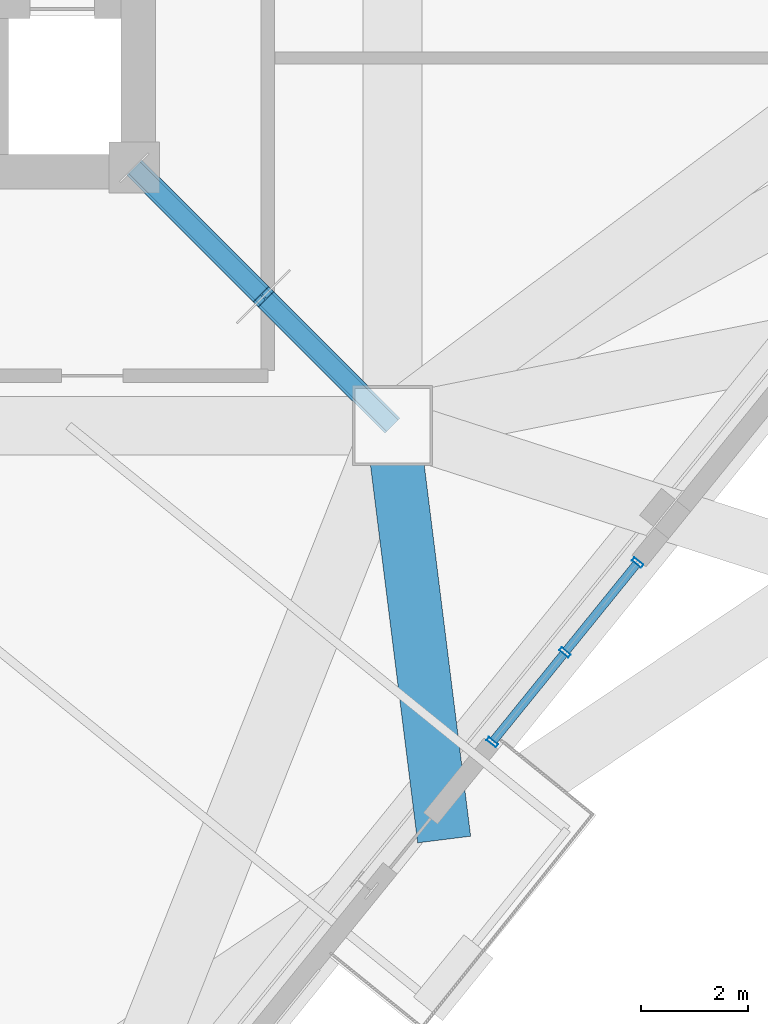
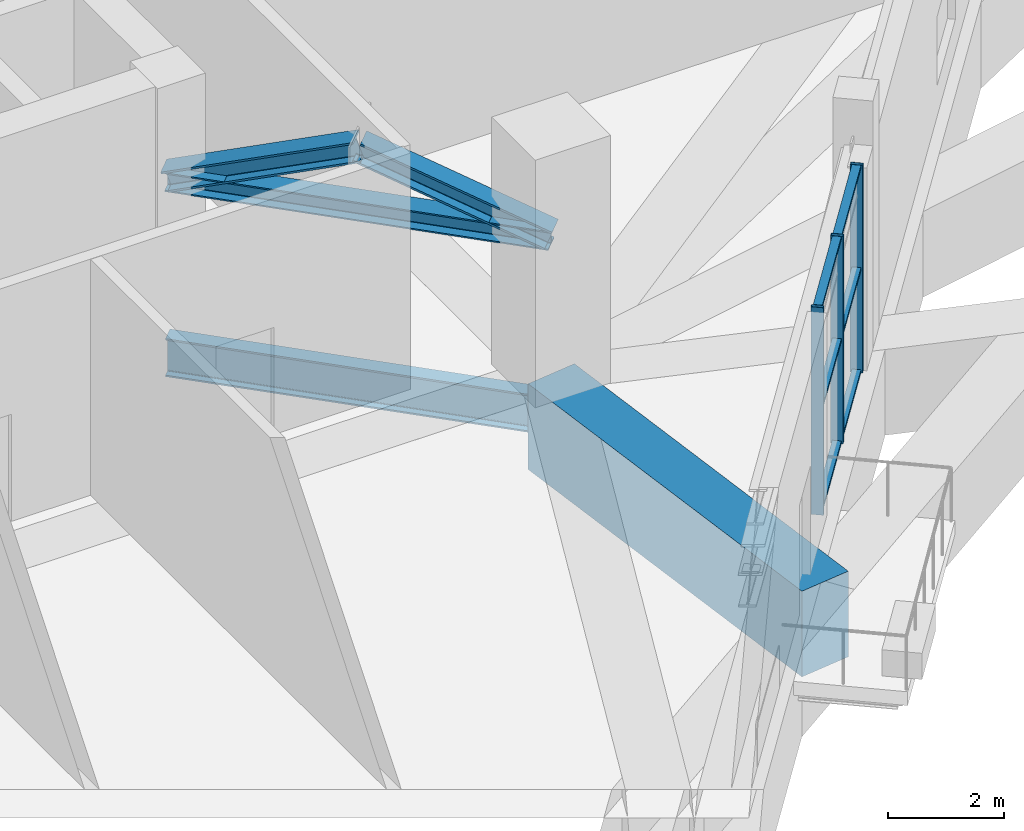
# One storey, part 4 of 22: 12 members, 2 beams, 1 element without a shape of its own.
"""IFC4 building model written with IfcOpenShell, lengths in metres."""

import ifcopenshell
import ifcopenshell.guid

model = None  # the IFC model being written
_history = None  # IfcOwnerHistory: only IFC2X3 demands one
_inside = {}  # id of a spatial element -> (the spatial element, [elements in it])
_under = {}  # id of a project, library or spatial element -> (it, [spatial elements below it])
_declared = {}  # id of a project -> (the project, [libraries it declares])
_typed = {}  # id of a type object -> (the type object, [elements of that type])
_made_of = {}  # id of a material, layer set ... -> (it, [elements and type objects made of it])


def new_model(schema):
    """Start an empty IFC model of exactly this schema.

    Asked for "IFC4X3", IfcOpenShell would pick the latest addendum, in which some entities
    have other attributes; the version numbers below select the first issue.
    IFC2X3 requires an IfcOwnerHistory on every rooted entity: one is made here for all.
    """
    global model, _history
    if schema == "IFC4X3":
        model = ifcopenshell.file(schema_version=(4, 3, 0, 0))
    else:
        model = ifcopenshell.file(schema=schema)
    _inside.clear()
    _under.clear()
    _declared.clear()
    _typed.clear()
    _made_of.clear()
    _history = None
    if model.schema == "IFC2X3":
        org = make("IfcOrganization", Name="unknown")
        user = make(
            "IfcPersonAndOrganization",
            ThePerson=make("IfcPerson", FamilyName="unknown"),
            TheOrganization=org,
        )
        app = make(
            "IfcApplication",
            ApplicationDeveloper=org,
            Version="unknown",
            ApplicationFullName="unknown",
            ApplicationIdentifier="unknown",
        )
        _history = make(
            "IfcOwnerHistory",
            OwningUser=user,
            OwningApplication=app,
            ChangeAction="ADDED",
            CreationDate=0,
        )
    return model


def make(cls, **values):
    """One entity of the class cls with the attributes given. An attribute that is None is left unset."""
    return model.create_entity(
        cls, **{name: value for name, value in values.items() if value is not None}
    )


def rooted(cls, **values):
    """An entity with a GlobalId (a new one), such as an element, a storey or a relation."""
    return make(cls, GlobalId=ifcopenshell.guid.new(), OwnerHistory=_history, **values)


def si_unit(unit_type, name, prefix=None):
    """IfcSIUnit, for example si_unit("LENGTHUNIT", "METRE", prefix="MILLI")."""
    return make("IfcSIUnit", UnitType=unit_type, Prefix=prefix, Name=name)


def assignment(units):
    """IfcUnitAssignment: the units of a project."""
    return None if units is None else make("IfcUnitAssignment", Units=units)


def point(xyz):
    """IfcCartesianPoint."""
    return None if xyz is None else make("IfcCartesianPoint", Coordinates=xyz)


def direction(xyz):
    """IfcDirection."""
    return None if xyz is None else make("IfcDirection", DirectionRatios=xyz)


def frame(location, z_axis=None, x_axis=None):
    """IfcAxis2Placement3D, a coordinate frame: its origin and axes. An axis left out is left unset."""
    return make(
        "IfcAxis2Placement3D",
        Location=point(location),
        Axis=direction(z_axis),
        RefDirection=direction(x_axis),
    )


def frame_2d(location, x_axis=None):
    """IfcAxis2Placement2D, a coordinate frame in the plane: its origin and x axis."""
    return make(
        "IfcAxis2Placement2D", Location=point(location), RefDirection=direction(x_axis)
    )


def origin():
    """The frame at (0, 0, 0) with its axes left unset."""
    return frame((0.0, 0.0, 0.0))


def origin_2d():
    """The frame at (0, 0) in the plane with its x axis left unset."""
    return frame_2d((0.0, 0.0))


def place(relative_to, where):
    """IfcLocalPlacement: puts the frame where relative to a parent placement (None: the world)."""
    return make(
        "IfcLocalPlacement", PlacementRelTo=relative_to, RelativePlacement=where
    )


def context(
    kind, dimensions, precision=None, world=None, true_north=None, identifier=None
):
    """IfcGeometricRepresentationContext, for example the 3D "Model" context."""
    return make(
        "IfcGeometricRepresentationContext",
        ContextIdentifier=identifier,
        ContextType=kind,
        CoordinateSpaceDimension=dimensions,
        Precision=precision,
        WorldCoordinateSystem=world,
        TrueNorth=true_north,
    )


def subcontext(parent, identifier, kind, view, scale=None):
    """IfcGeometricRepresentationSubContext, for example "Body" below "Model"."""
    return make(
        "IfcGeometricRepresentationSubContext",
        ContextIdentifier=identifier,
        ContextType=kind,
        ParentContext=parent,
        TargetScale=scale,
        TargetView=view,
    )


def project(units=None, contexts=None):
    """IfcProject with its units and contexts."""
    return rooted(
        "IfcProject",
        Name="project",
        RepresentationContexts=contexts,
        UnitsInContext=assignment(units),
    )


def spatial(cls, under=None, at=None, **own):
    """A site, building, storey or space (cls), placed at a placement, below another one or the project."""
    s = rooted(cls, ObjectPlacement=at, **own)
    if under is not None:
        _under.setdefault(under.id(), (under, []))[1].append(s)
    return s


def profile(cls, at=None, kind="AREA", **sizes):
    """A parametric profile (cls). Its sizes go by their IFC names, for example OverallWidth=200.0."""
    return make(cls, ProfileType=kind, Position=at, **sizes)


def rectangle(**sizes):
    """IfcRectangleProfileDef."""
    return profile("IfcRectangleProfileDef", **sizes)


def hollow_rectangle(**sizes):
    """IfcRectangleHollowProfileDef."""
    return profile("IfcRectangleHollowProfileDef", **sizes)


def i_section(**sizes):
    """IfcIShapeProfileDef."""
    return profile("IfcIShapeProfileDef", **sizes)


def extrude(swept, where, along, depth):
    """IfcExtrudedAreaSolid: the profile swept, set in the frame where, extruded along a direction by depth."""
    return make(
        "IfcExtrudedAreaSolid",
        SweptArea=swept,
        Position=where,
        ExtrudedDirection=direction(along),
        Depth=depth,
    )


def shape(context_of_items, identifier, shape_type, items):
    """IfcShapeRepresentation: the items that make up one representation, for example the "Body"."""
    return make(
        "IfcShapeRepresentation",
        ContextOfItems=context_of_items,
        RepresentationIdentifier=identifier,
        RepresentationType=shape_type,
        Items=items,
    )


def source(mapping_origin, context_of_items, identifier, shape_type, items):
    """IfcRepresentationMap: a shape defined once, which mapped items show again and again."""
    return make(
        "IfcRepresentationMap",
        MappingOrigin=mapping_origin,
        MappedRepresentation=shape(context_of_items, identifier, shape_type, items),
    )


def transform(
    local_origin,
    x_axis=None,
    y_axis=None,
    z_axis=None,
    scale=None,
    scale2=None,
    scale3=None,
    uniform=True,
):
    """IfcCartesianTransformationOperator3D, or its non-uniform kind. x_axis, y_axis, z_axis: its Axis1, 2, 3."""
    if uniform:
        return make(
            "IfcCartesianTransformationOperator3D",
            Axis1=direction(x_axis),
            Axis2=direction(y_axis),
            LocalOrigin=point(local_origin),
            Scale=scale,
            Axis3=direction(z_axis),
        )
    return make(
        "IfcCartesianTransformationOperator3DnonUniform",
        Axis1=direction(x_axis),
        Axis2=direction(y_axis),
        LocalOrigin=point(local_origin),
        Scale=scale,
        Axis3=direction(z_axis),
        Scale2=scale2,
        Scale3=scale3,
    )


def mapped(mapping_source, mapping_target):
    """IfcMappedItem: shows the shape of a source again, moved by a transform."""
    return make(
        "IfcMappedItem", MappingSource=mapping_source, MappingTarget=mapping_target
    )


def material(Name=None, Category=None):
    """IfcMaterial."""
    return make("IfcMaterial", Name=Name, Category=Category)


def layer(
    of_material, thickness, ventilated=None, Name=None, Category=None, Priority=None
):
    """IfcMaterialLayer: one layer of a wall or slab, of a material (None: an air gap)."""
    return make(
        "IfcMaterialLayer",
        Material=of_material,
        LayerThickness=thickness,
        IsVentilated=ventilated,
        Name=Name,
        Category=Category,
        Priority=Priority,
    )


def layer_set(layers, Name=None):
    """IfcMaterialLayerSet."""
    return make("IfcMaterialLayerSet", MaterialLayers=layers, LayerSetName=Name)


def material_profile(
    of_material, cross_section, Name=None, Category=None, Priority=None
):
    """IfcMaterialProfile: a cross section and its material."""
    return make(
        "IfcMaterialProfile",
        Name=Name,
        Material=of_material,
        Profile=cross_section,
        Priority=Priority,
        Category=Category,
    )


def profile_set(profiles, Name=None, composite=None):
    """IfcMaterialProfileSet."""
    return make(
        "IfcMaterialProfileSet",
        Name=Name,
        MaterialProfiles=profiles,
        CompositeProfile=composite,
    )


def made_of(thing, what):
    """Note that an element or type object is made of a material, layer set ...; save() writes the relation."""
    if what is not None:
        _made_of.setdefault(what.id(), (what, []))[1].append(thing)
    return thing


def type_object(cls, material=None, **own):
    """A type object (cls), such as IfcWallType, which elements share."""
    return made_of(rooted(cls, **own), material)


def element(
    cls,
    number,
    at=None,
    inside=None,
    cuts=None,
    type_object=None,
    material=None,
    context=None,
    identifier="Body",
    shape_type=None,
    held_by="IfcProductDefinitionShape",
    body=None,
    shapes=None,
    **own,
):
    """One element of the class cls, such as IfcWall. Its Tag is "e" and its number.

    at: its placement. inside: the storey or other place that contains it. cuts: it is an
    opening in that element (IfcRelVoidsElement). A single representation is given by context,
    identifier, shape_type and body (its items); several are given by shapes. held_by: the class
    of the entity that holds the representations. save() writes the other relations.
    """
    e = rooted(cls, Tag="e%d" % number, ObjectPlacement=at, **own)
    if body is not None:
        shapes = [shape(context, identifier, shape_type, body)]
    if shapes is not None:
        e.Representation = make(held_by, Representations=shapes)
    if inside is not None:
        _inside.setdefault(inside.id(), (inside, []))[1].append(e)
    if cuts is not None:
        rooted(
            "IfcRelVoidsElement", RelatingBuildingElement=cuts, RelatedOpeningElement=e
        )
    if type_object is not None:
        _typed.setdefault(type_object.id(), (type_object, []))[1].append(e)
    return made_of(e, material)


def aggregate(whole, parts):
    """IfcRelAggregates: a whole, such as a stair, and the parts it consists of."""
    return rooted("IfcRelAggregates", RelatingObject=whole, RelatedObjects=parts)


def save(model, path):
    """Write the relations noted so far, then the file.

    IfcRelAggregates (storeys below a building ...), IfcRelContainedInSpatialStructure (elements
    in a storey), IfcRelDefinesByType, IfcRelAssociatesMaterial and IfcRelDeclares: one each for
    every whole, place, type object, material and project.
    """
    for whole, parts in _under.values():
        aggregate(whole, parts)
    for where, things in _inside.values():
        rooted(
            "IfcRelContainedInSpatialStructure",
            RelatedElements=things,
            RelatingStructure=where,
        )
    for kind, things in _typed.values():
        rooted("IfcRelDefinesByType", RelatedObjects=things, RelatingType=kind)
    for what, things in _made_of.values():
        rooted("IfcRelAssociatesMaterial", RelatedObjects=things, RelatingMaterial=what)
    for by, libraries in _declared.values():
        rooted("IfcRelDeclares", RelatingContext=by, RelatedDefinitions=libraries)
    model.write(path)


model = new_model("IFC4")

# Units and contexts
model_context = context("Model", 3, precision=1e-05, world=origin(), true_north=direction((0.0, 1.0)))
body_context = subcontext(model_context, "Body", "Model", "MODEL_VIEW")
ifc_project = project(units=[si_unit("LENGTHUNIT", "METRE"), si_unit("AREAUNIT", "SQUARE_METRE"), si_unit("VOLUMEUNIT", "CUBIC_METRE"), si_unit("PLANEANGLEUNIT", "RADIAN"), si_unit("MASSUNIT", "GRAM", prefix="KILO"), si_unit("THERMODYNAMICTEMPERATUREUNIT", "KELVIN")], contexts=[model_context])

# Site, building, storey
site_placement = place(None, origin())
site = spatial("IfcSite", under=ifc_project, at=site_placement, CompositionType="ELEMENT")
building_placement = place(site_placement, origin())
building = spatial("IfcBuilding", under=site, at=building_placement, Name="Kosmvard Interchange Tower", CompositionType="ELEMENT")
storey_placement = place(building_placement, frame((0.0, 0.0, 200.39990234375)))
storey = spatial("IfcBuildingStorey", under=building, at=storey_placement, Name="L48", CompositionType="ELEMENT", Elevation=200.39990234375)

# Member
ifc_material_1 = material(Name="Steel S460", Category="steel")
ifc_material_profile_1 = material_profile(ifc_material_1, i_section(OverallWidth=0.40087890625, OverallDepth=0.39892578125, WebThickness=0.0185546875, FlangeThickness=0.028076171875, FilletRadius=0.014892578125, at=origin_2d()), Name="HD 400x314")
ifc_profile_set_1 = profile_set([ifc_material_profile_1], Name="Steel S460")
member_type_1 = type_object("IfcMemberType", Name="Outrigger Top and Bottom Chord HD 400x314 S460", PredefinedType="CHORD", material=ifc_profile_set_1)
shared_shape_1 = source(origin(), body_context, "Body", "SweptSolid", [
    extrude(i_section(OverallWidth=0.40087890625, OverallDepth=0.39892578125, WebThickness=0.0185546875, FlangeThickness=0.028076171875, FilletRadius=0.014892578125, at=origin_2d()), origin(), (0.0, 0.0, 1.0), 6.83203125),
])
member_1_placement = place(storey_placement, frame((8.25, -8.25, 2.920166015625), z_axis=(0.707106781187, -0.707106781187, 0.0), x_axis=(0.707106781187, 0.707106781187, 0.0)))
element("IfcMember", 1, at=member_1_placement, inside=storey, type_object=member_type_1, Name="L48 Outrigger Bottom Chord 2", PredefinedType="CHORD", context=body_context, shape_type="MappedRepresentation", body=[
    mapped(shared_shape_1, transform((0.0, 0.0, 0.0), scale=1.0)),
])

# Beams
ifc_material_2 = material(Name="Steel S355", Category="steel")
ifc_material_profile_2 = material_profile(ifc_material_2, i_section(OverallWidth=0.300048828125, OverallDepth=0.800048828125, WebThickness=0.017578125, FlangeThickness=0.032958984375, FilletRadius=0.027099609375, at=origin_2d()), Name="HEB 800")
ifc_profile_set_2 = profile_set([ifc_material_profile_2], Name="Steel S355")
beam_type_1 = type_object("IfcBeamType", Name="Primary Mega-Frame Girder HEB 800 S355", PredefinedType="BEAM", material=ifc_profile_set_2)
shared_shape_2 = source(origin(), body_context, "Body", "SweptSolid", [
    extrude(i_section(OverallWidth=0.300048828125, OverallDepth=0.800048828125, WebThickness=0.017578125, FlangeThickness=0.032958984375, FilletRadius=0.027099609375, at=origin_2d()), origin(), (0.0, 0.0, 1.0), 6.83203125),
])
beam_1_placement = place(storey_placement, frame((8.25, -8.25, -0.7998046875), z_axis=(0.707106781187, -0.707106781187, 0.0), x_axis=(0.707106781187, 0.707106781187, 0.0)))
element("IfcBeam", 2, at=beam_1_placement, inside=storey, type_object=beam_type_1, Name="L48 Radial Mega-Frame Girder 2", PredefinedType="BEAM", context=body_context, shape_type="MappedRepresentation", body=[
    mapped(shared_shape_2, transform((0.0, 0.0, 0.0), scale=1.0)),
])
ifc_material_3 = material(Name="Concrete C60/75", Category="concrete")
ifc_material_profile_3 = material_profile(ifc_material_3, rectangle(XDim=1.0, YDim=1.800048828125, at=origin_2d()), Name="TG 1000x1800")
ifc_profile_set_3 = profile_set([ifc_material_profile_3], Name="Concrete C60/75")
beam_type_2 = type_object("IfcBeamType", Name="Zone Transfer Ring Girder 1000x1800 C60/75", PredefinedType="USERDEFINED", material=ifc_profile_set_3)
shared_shape_3 = source(origin(), body_context, "Body", "SweptSolid", [
    extrude(rectangle(XDim=1.0, YDim=1.800048828125, at=origin_2d()), origin(), (0.0, 0.0, 1.0), 7.808837890625),
])
beam_2_placement = place(storey_placement, frame((13.0810546875, -13.0810546875, -0.89990234375), z_axis=(0.12405782224, -0.992274990485, 0.0), x_axis=(0.992274990485, 0.12405782224, 0.0)))
element("IfcBeam", 3, at=beam_2_placement, inside=storey, type_object=beam_type_2, Name="BM-L48-LD02", ObjectType="TRANSFER_GIRDER", PredefinedType="USERDEFINED", context=body_context, shape_type="MappedRepresentation", body=[
    mapped(shared_shape_3, transform((0.0, 0.0, 0.0), scale=1.0)),
])

# Members
ifc_material_profile_4 = material_profile(ifc_material_1, i_section(OverallWidth=0.408935546875, OverallDepth=0.425048828125, WebThickness=0.02392578125, FlangeThickness=0.0390625, FilletRadius=0.014892578125, at=origin_2d()), Name="HD 400x421")
ifc_profile_set_4 = profile_set([ifc_material_profile_4], Name="Steel S460")
member_type_2 = type_object("IfcMemberType", Name="Radial Outrigger Diagonal HD 400x421 S460", PredefinedType="BRACE", material=ifc_profile_set_4)
shared_shape_4 = source(origin(), body_context, "Body", "SweptSolid", [
    extrude(i_section(OverallWidth=0.408935546875, OverallDepth=0.425048828125, WebThickness=0.02392578125, FlangeThickness=0.0390625, FilletRadius=0.014892578125, at=origin_2d()), origin(), (0.0, 0.0, 1.0), 3.63427734375),
])
for number, where, z_axis, x_axis, name in (
    (4, (8.25, -8.25, 2.920166015625), (0.664672771684, -0.664672771684, 0.341204063815), (0.707106781187, 0.707106781187, 0.0), "L48 Outrigger Diagonal 2A"),
    (5, (10.66552734375, -10.66552734375, 4.16015625), (0.664672771684, -0.664672771684, -0.341204063815), (0.707106781187, 0.707106781187, 0.0), "L48 Outrigger Diagonal 2B"),
):
    element("IfcMember", number, at=place(storey_placement, frame(where, z_axis=z_axis, x_axis=x_axis)), inside=storey, type_object=member_type_2, Name=name, PredefinedType="BRACE", context=body_context, shape_type="MappedRepresentation", body=[
        mapped(shared_shape_4, transform((0.0, 0.0, 0.0), scale=1.0)),
    ])

# Curtain wall, members
ifc_material_4 = material(Name="Architectural anodised aluminium", Category="aluminium")
ifc_layer = layer(ifc_material_4, 0.2099609375, Name="Architectural anodised aluminium")
ifc_layer_set = layer_set([ifc_layer], Name="Architectural anodised aluminium")
curtain_wall_type = type_object("IfcCurtainWallType", Name="CW-4 Refuge Transfer Glazed Louvre Wall", PredefinedType="NOTDEFINED", material=ifc_layer_set)
curtain_wall_placement = place(storey_placement, origin())
curtain_wall = element("IfcCurtainWall", 6, at=curtain_wall_placement, inside=storey, type_object=curtain_wall_type, Name="L48 Transfer Louvre Curtain Wall S", PredefinedType="NOTDEFINED")
ifc_material_profile_5 = material_profile(ifc_material_4, hollow_rectangle(XDim=0.159912109375, YDim=0.06494140625, WallThickness=0.00390625, at=origin_2d()), Name="CWT 160x65x4")
ifc_profile_set_5 = profile_set([ifc_material_profile_5], Name="Architectural anodised aluminium")
member_type_3 = type_object("IfcMemberType", Name="Standard CW Transom 160x65 Aluminium", PredefinedType="USERDEFINED", material=ifc_profile_set_5)
shared_shape_5 = source(origin(), body_context, "Body", "SweptSolid", [
    extrude(hollow_rectangle(XDim=0.159912109375, YDim=0.06494140625, WallThickness=0.00390625, at=origin_2d()), origin(), (0.0, 0.0, 1.0), 2.087646484375),
])
member_2_placement = place(storey_placement, frame((14.973876953125, -18.977783203125, 0.03271484375), z_axis=(0.629319338563, 0.777146813743, 0.0), x_axis=(-0.777146813743, 0.629319338563, 0.0)))
member_2 = element("IfcMember", 7, at=member_2_placement, type_object=member_type_3, Name="CW-4 transom 1.1", ObjectType="TRANSOM", PredefinedType="USERDEFINED", context=body_context, shape_type="MappedRepresentation", body=[
    mapped(shared_shape_5, transform((0.0, 0.0, 0.0), scale=1.0)),
])
member_3_placement = place(storey_placement, frame((14.973876953125, -18.977783203125, 2.18017578125), z_axis=(0.629319338563, 0.777146813743, 0.0), x_axis=(-0.777146813743, 0.629319338563, 0.0)))
member_3 = element("IfcMember", 8, at=member_3_placement, type_object=member_type_3, Name="CW-4 transom 1.2", ObjectType="TRANSOM", PredefinedType="USERDEFINED", context=body_context, shape_type="MappedRepresentation", body=[
    mapped(shared_shape_5, transform((0.0, 0.0, 0.0), scale=1.0)),
])
member_4_placement = place(storey_placement, frame((14.973876953125, -18.977783203125, 4.32763671875), z_axis=(0.629319338563, 0.777146813743, 0.0), x_axis=(-0.777146813743, 0.629319338563, 0.0)))
member_4 = element("IfcMember", 9, at=member_4_placement, type_object=member_type_3, Name="CW-4 transom 1.3", ObjectType="TRANSOM", PredefinedType="USERDEFINED", context=body_context, shape_type="MappedRepresentation", body=[
    mapped(shared_shape_5, transform((0.0, 0.0, 0.0), scale=1.0)),
])
member_5_placement = place(storey_placement, frame((16.3349609375, -17.297119140625, 0.03271484375), z_axis=(0.629319338563, 0.777146813743, 0.0), x_axis=(-0.777146813743, 0.629319338563, 0.0)))
member_5 = element("IfcMember", 10, at=member_5_placement, type_object=member_type_3, Name="CW-4 transom 2.1", ObjectType="TRANSOM", PredefinedType="USERDEFINED", context=body_context, shape_type="MappedRepresentation", body=[
    mapped(shared_shape_5, transform((0.0, 0.0, 0.0), scale=1.0)),
])
member_6_placement = place(storey_placement, frame((16.3349609375, -17.297119140625, 2.18017578125), z_axis=(0.629319338563, 0.777146813743, 0.0), x_axis=(-0.777146813743, 0.629319338563, 0.0)))
member_6 = element("IfcMember", 11, at=member_6_placement, type_object=member_type_3, Name="CW-4 transom 2.2", ObjectType="TRANSOM", PredefinedType="USERDEFINED", context=body_context, shape_type="MappedRepresentation", body=[
    mapped(shared_shape_5, transform((0.0, 0.0, 0.0), scale=1.0)),
])
member_7_placement = place(storey_placement, frame((16.3349609375, -17.297119140625, 4.32763671875), z_axis=(0.629319338563, 0.777146813743, 0.0), x_axis=(-0.777146813743, 0.629319338563, 0.0)))
member_7 = element("IfcMember", 12, at=member_7_placement, type_object=member_type_3, Name="CW-4 transom 2.3", ObjectType="TRANSOM", PredefinedType="USERDEFINED", context=body_context, shape_type="MappedRepresentation", body=[
    mapped(shared_shape_5, transform((0.0, 0.0, 0.0), scale=1.0)),
])
ifc_material_profile_6 = material_profile(ifc_material_4, hollow_rectangle(XDim=0.219970703125, YDim=0.074951171875, WallThickness=0.0048828125, at=origin_2d()), Name="CWM 220x75x5")
ifc_profile_set_6 = profile_set([ifc_material_profile_6], Name="Architectural anodised aluminium")
member_type_4 = type_object("IfcMemberType", Name="Concourse CW Mullion 220x75 Aluminium", PredefinedType="MULLION", material=ifc_profile_set_6)
shared_shape_6 = source(origin(), body_context, "Body", "SweptSolid", [
    extrude(hollow_rectangle(XDim=0.219970703125, YDim=0.074951171875, WallThickness=0.0048828125, at=origin_2d()), origin(), (0.0, 0.0, 1.0), 4.360107421875),
])
member_8_placement = place(storey_placement, frame((14.950439453125, -19.0068359375, 0.0), z_axis=(0.0, 0.0, 1.0), x_axis=(-0.777146020813, 0.629320317751, 0.0)))
member_8 = element("IfcMember", 13, at=member_8_placement, type_object=member_type_4, Name="CW-4 mullion 1", PredefinedType="MULLION", context=body_context, shape_type="MappedRepresentation", body=[
    mapped(shared_shape_6, transform((0.0, 0.0, 0.0), scale=1.0)),
])
member_9_placement = place(storey_placement, frame((16.311279296875, -17.326171875, 0.0), z_axis=(0.0, 0.0, 1.0), x_axis=(-0.777146020813, 0.629320317751, 0.0)))
member_9 = element("IfcMember", 14, at=member_9_placement, type_object=member_type_4, Name="CW-4 mullion 2", PredefinedType="MULLION", context=body_context, shape_type="MappedRepresentation", body=[
    mapped(shared_shape_6, transform((0.0, 0.0, 0.0), scale=1.0)),
])
member_10_placement = place(storey_placement, frame((17.672119140625, -15.645751953125, 0.0), z_axis=(0.0, 0.0, 1.0), x_axis=(-0.777146020813, 0.629320317751, 0.0)))
member_10 = element("IfcMember", 15, at=member_10_placement, type_object=member_type_4, Name="CW-4 mullion 3", PredefinedType="MULLION", context=body_context, shape_type="MappedRepresentation", body=[
    mapped(shared_shape_6, transform((0.0, 0.0, 0.0), scale=1.0)),
])
aggregate(curtain_wall, [member_8, member_9, member_10, member_2, member_3, member_4, member_5, member_6, member_7])

save(model, "model.ifc")
